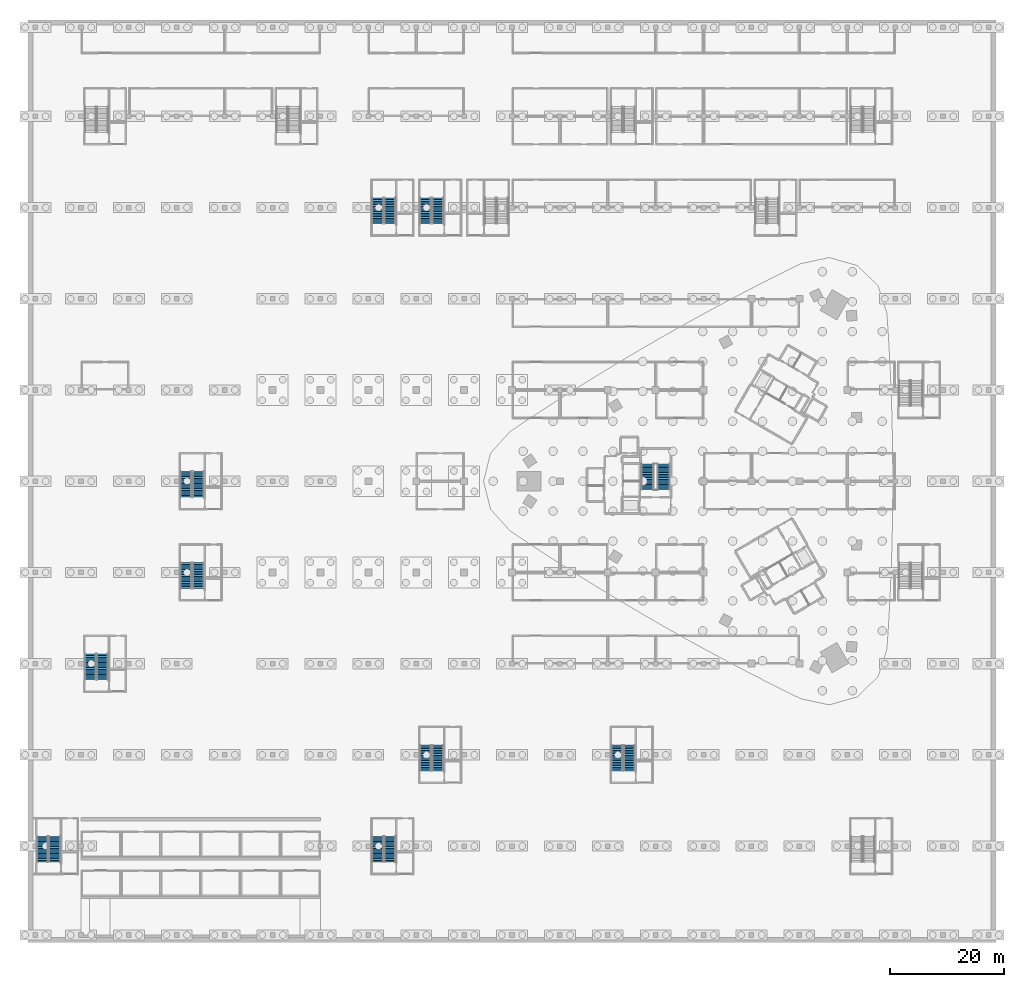
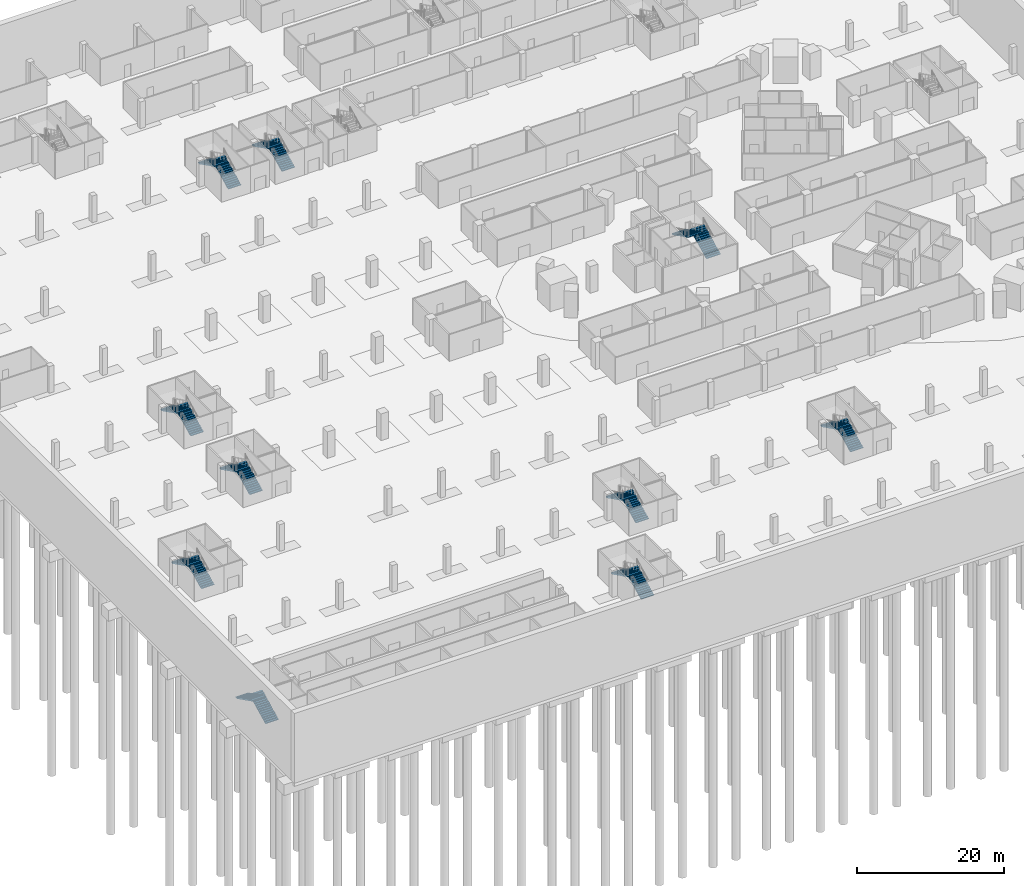
# One storey, part 26 of 46: 20 stair flights, 10 elements without a shape of their own.
"""IFC4 building model written with IfcOpenShell, lengths in metres."""

from ifc_helpers import new_model, si_unit, direction, frame, origin, place, context, subcontext, project, spatial, polyline, outline, extrude, material, layer, layer_set, type_object, element, aggregate, save


model = new_model("IFC4")

# Units and contexts
model_context = context("Model", 3, precision=1e-05, world=origin(), true_north=direction((0.0, 1.0)))
body_context = subcontext(model_context, "Body", "Model", "MODEL_VIEW")
ifc_project = project(units=[si_unit("LENGTHUNIT", "METRE"), si_unit("AREAUNIT", "SQUARE_METRE"), si_unit("VOLUMEUNIT", "CUBIC_METRE"), si_unit("PLANEANGLEUNIT", "RADIAN"), si_unit("MASSUNIT", "GRAM", prefix="KILO")], contexts=[model_context])

# Site, building, storey
site_placement = place(None, origin())
site = spatial("IfcSite", under=ifc_project, at=site_placement, CompositionType="ELEMENT")
building_placement = place(site_placement, origin())
building = spatial("IfcBuilding", under=site, at=building_placement, Name="Tamra Quay Hotel Tower", CompositionType="ELEMENT")
storey_placement = place(building_placement, frame((0.0, 0.0, -12.0)))
storey = spatial("IfcBuildingStorey", under=building, at=storey_placement, Name="B3", CompositionType="ELEMENT", Elevation=-12.0)

# Stair, stair flights
ifc_material_1 = material(Name="Basement exit stair")
stair_type_1 = type_object("IfcStairType", Name="Basement exit stair", PredefinedType="HALF_TURN_STAIR", material=ifc_material_1)
stair_1_placement = place(storey_placement, origin())
stair_1 = element("IfcStair", 1, at=stair_1_placement, inside=storey, type_object=stair_type_1, Name="B3 Basement Exit Stair BS1", PredefinedType="HALF_TURN_STAIR")
ifc_material_2 = material(Name="Concrete M60", Category="concrete")
ifc_layer = layer(ifc_material_2, 0.14990234375)
ifc_layer_set = layer_set([ifc_layer], Name="Concrete M60 basement stair flight 150")
stair_flight_type_1 = type_object("IfcStairFlightType", Name="Concrete M60 basement stair flight 150", PredefinedType="STRAIGHT", material=ifc_layer_set)
stair_flight_1_placement = place(storey_placement, frame((-110.5, -34.800048828125, 0.0), z_axis=(0.0, 0.0, 1.0), x_axis=(0.0, 1.0, 0.0)))
stair_flight_1 = element("IfcStairFlight", 2, at=stair_flight_1_placement, type_object=stair_flight_type_1, Name="BS1 flight 1", NumberOfRisers=16, NumberOfTreads=15, PredefinedType="STRAIGHT", RiserHeight=0.15, TreadLength=0.3, context=body_context, shape_type="SweptSolid", body=[
    extrude(outline(polyline([(0.0, 0.0), (0.0, 0.14990234375), (0.300048828125, 0.14990234375), (0.300048828125, 0.300048828125), (0.60009765625, 0.300048828125), (0.60009765625, 0.449951171875), (0.89990234375, 0.449951171875), (0.89990234375, 0.60009765625), (1.199951171875, 0.60009765625), (1.199951171875, 0.75), (1.5, 0.75), (1.5, 0.89990234375), (1.800048828125, 0.89990234375), (1.800048828125, 1.050048828125), (2.10009765625, 1.050048828125), (2.10009765625, 1.199951171875), (2.39990234375, 1.199951171875), (2.39990234375, 1.35009765625), (2.699951171875, 1.35009765625), (2.699951171875, 1.5), (3.0, 1.5), (3.0, 1.64990234375), (3.300048828125, 1.64990234375), (3.300048828125, 1.800048828125), (3.60009765625, 1.800048828125), (3.60009765625, 1.949951171875), (3.89990234375, 1.949951171875), (3.89990234375, 2.10009765625), (4.199951171875, 2.10009765625), (4.199951171875, 2.25), (4.5, 2.25), (4.5, 2.39990234375), (4.5, 2.08251953125), (0.335205078125, 0.0), (0.0, 0.0)])), frame((0.0, 1.0, 0.0), z_axis=(0.0, -1.0, 0.0), x_axis=(1.0, 0.0, 0.0)), (0.0, 0.0, 1.0), 2.0),
])
stair_flight_2_placement = place(storey_placement, frame((-112.64990234375, -30.300048828125, 2.39990234375), z_axis=(0.0, 0.0, 1.0), x_axis=(0.0, -1.0, 0.0)))
stair_flight_2 = element("IfcStairFlight", 3, at=stair_flight_2_placement, type_object=stair_flight_type_1, Name="BS1 flight 2", NumberOfRisers=16, NumberOfTreads=15, PredefinedType="STRAIGHT", RiserHeight=0.15, TreadLength=0.3, context=body_context, shape_type="SweptSolid", body=[
    extrude(outline(polyline([(0.0, 0.0), (0.0, 0.14990234375), (0.300048828125, 0.14990234375), (0.300048828125, 0.300048828125), (0.60009765625, 0.300048828125), (0.60009765625, 0.449951171875), (0.89990234375, 0.449951171875), (0.89990234375, 0.60009765625), (1.199951171875, 0.60009765625), (1.199951171875, 0.75), (1.5, 0.75), (1.5, 0.89990234375), (1.800048828125, 0.89990234375), (1.800048828125, 1.050048828125), (2.10009765625, 1.050048828125), (2.10009765625, 1.199951171875), (2.39990234375, 1.199951171875), (2.39990234375, 1.35009765625), (2.699951171875, 1.35009765625), (2.699951171875, 1.5), (3.0, 1.5), (3.0, 1.64990234375), (3.300048828125, 1.64990234375), (3.300048828125, 1.800048828125), (3.60009765625, 1.800048828125), (3.60009765625, 1.949951171875), (3.89990234375, 1.949951171875), (3.89990234375, 2.10009765625), (4.199951171875, 2.10009765625), (4.199951171875, 2.25), (4.5, 2.25), (4.5, 2.39990234375), (4.5, 2.08251953125), (0.335205078125, 0.0), (0.0, 0.0)])), frame((0.0, 1.0, 0.0), z_axis=(0.0, -1.0, 0.0), x_axis=(1.0, 0.0, 0.0)), (0.0, 0.0, 1.0), 2.0),
])
aggregate(stair_1, [stair_flight_1, stair_flight_2])

stair_2_placement = place(storey_placement, origin())
stair_2 = element("IfcStair", 4, at=stair_2_placement, inside=storey, type_object=stair_type_1, Name="B3 Basement Exit Stair BS3", PredefinedType="HALF_TURN_STAIR")
stair_flight_3_placement = place(storey_placement, frame((-93.699951171875, -18.800048828125, 0.0), z_axis=(0.0, 0.0, 1.0), x_axis=(0.0, 1.0, 0.0)))
stair_flight_3 = element("IfcStairFlight", 5, at=stair_flight_3_placement, type_object=stair_flight_type_1, Name="BS3 flight 1", NumberOfRisers=16, NumberOfTreads=15, PredefinedType="STRAIGHT", RiserHeight=0.15, TreadLength=0.3, context=body_context, shape_type="SweptSolid", body=[
    extrude(outline(polyline([(0.0, 0.0), (0.0, 0.14990234375), (0.300048828125, 0.14990234375), (0.300048828125, 0.300048828125), (0.60009765625, 0.300048828125), (0.60009765625, 0.449951171875), (0.89990234375, 0.449951171875), (0.89990234375, 0.60009765625), (1.199951171875, 0.60009765625), (1.199951171875, 0.75), (1.5, 0.75), (1.5, 0.89990234375), (1.800048828125, 0.89990234375), (1.800048828125, 1.050048828125), (2.10009765625, 1.050048828125), (2.10009765625, 1.199951171875), (2.39990234375, 1.199951171875), (2.39990234375, 1.35009765625), (2.699951171875, 1.35009765625), (2.699951171875, 1.5), (3.0, 1.5), (3.0, 1.64990234375), (3.300048828125, 1.64990234375), (3.300048828125, 1.800048828125), (3.60009765625, 1.800048828125), (3.60009765625, 1.949951171875), (3.89990234375, 1.949951171875), (3.89990234375, 2.10009765625), (4.199951171875, 2.10009765625), (4.199951171875, 2.25), (4.5, 2.25), (4.5, 2.39990234375), (4.5, 2.08251953125), (0.335205078125, 0.0), (0.0, 0.0)])), frame((0.0, 1.0, 0.0), z_axis=(0.0, -1.0, 0.0), x_axis=(1.0, 0.0, 0.0)), (0.0, 0.0, 1.0), 2.0),
])
stair_flight_4_placement = place(storey_placement, frame((-95.85009765625, -14.300048828125, 2.39990234375), z_axis=(0.0, 0.0, 1.0), x_axis=(0.0, -1.0, 0.0)))
stair_flight_4 = element("IfcStairFlight", 6, at=stair_flight_4_placement, type_object=stair_flight_type_1, Name="BS3 flight 2", NumberOfRisers=16, NumberOfTreads=15, PredefinedType="STRAIGHT", RiserHeight=0.15, TreadLength=0.3, context=body_context, shape_type="SweptSolid", body=[
    extrude(outline(polyline([(0.0, 0.0), (0.0, 0.14990234375), (0.300048828125, 0.14990234375), (0.300048828125, 0.300048828125), (0.60009765625, 0.300048828125), (0.60009765625, 0.449951171875), (0.89990234375, 0.449951171875), (0.89990234375, 0.60009765625), (1.199951171875, 0.60009765625), (1.199951171875, 0.75), (1.5, 0.75), (1.5, 0.89990234375), (1.800048828125, 0.89990234375), (1.800048828125, 1.050048828125), (2.10009765625, 1.050048828125), (2.10009765625, 1.199951171875), (2.39990234375, 1.199951171875), (2.39990234375, 1.35009765625), (2.699951171875, 1.35009765625), (2.699951171875, 1.5), (3.0, 1.5), (3.0, 1.64990234375), (3.300048828125, 1.64990234375), (3.300048828125, 1.800048828125), (3.60009765625, 1.800048828125), (3.60009765625, 1.949951171875), (3.89990234375, 1.949951171875), (3.89990234375, 2.10009765625), (4.199951171875, 2.10009765625), (4.199951171875, 2.25), (4.5, 2.25), (4.5, 2.39990234375), (4.5, 2.08251953125), (0.335205078125, 0.0), (0.0, 0.0)])), frame((0.0, 1.0, 0.0), z_axis=(0.0, -1.0, 0.0), x_axis=(1.0, 0.0, 0.0)), (0.0, 0.0, 1.0), 2.0),
])
aggregate(stair_2, [stair_flight_3, stair_flight_4])

stair_3_placement = place(storey_placement, origin())
stair_3 = element("IfcStair", 7, at=stair_3_placement, inside=storey, type_object=stair_type_1, Name="B3 Basement Exit Stair BS4", PredefinedType="HALF_TURN_STAIR")
stair_flight_5_placement = place(storey_placement, frame((-93.699951171875, -2.800048828125, 0.0), z_axis=(0.0, 0.0, 1.0), x_axis=(0.0, 1.0, 0.0)))
stair_flight_5 = element("IfcStairFlight", 8, at=stair_flight_5_placement, type_object=stair_flight_type_1, Name="BS4 flight 1", NumberOfRisers=16, NumberOfTreads=15, PredefinedType="STRAIGHT", RiserHeight=0.15, TreadLength=0.3, context=body_context, shape_type="SweptSolid", body=[
    extrude(outline(polyline([(0.0, 0.0), (0.0, 0.14990234375), (0.300048828125, 0.14990234375), (0.300048828125, 0.300048828125), (0.60009765625, 0.300048828125), (0.60009765625, 0.449951171875), (0.89990234375, 0.449951171875), (0.89990234375, 0.60009765625), (1.199951171875, 0.60009765625), (1.199951171875, 0.75), (1.5, 0.75), (1.5, 0.89990234375), (1.800048828125, 0.89990234375), (1.800048828125, 1.050048828125), (2.10009765625, 1.050048828125), (2.10009765625, 1.199951171875), (2.39990234375, 1.199951171875), (2.39990234375, 1.35009765625), (2.699951171875, 1.35009765625), (2.699951171875, 1.5), (3.0, 1.5), (3.0, 1.64990234375), (3.300048828125, 1.64990234375), (3.300048828125, 1.800048828125), (3.60009765625, 1.800048828125), (3.60009765625, 1.949951171875), (3.89990234375, 1.949951171875), (3.89990234375, 2.10009765625), (4.199951171875, 2.10009765625), (4.199951171875, 2.25), (4.5, 2.25), (4.5, 2.39990234375), (4.5, 2.08251953125), (0.335205078125, 0.0), (0.0, 0.0)])), frame((0.0, 1.0, 0.0), z_axis=(0.0, -1.0, 0.0), x_axis=(1.0, 0.0, 0.0)), (0.0, 0.0, 1.0), 2.0),
])
stair_flight_6_placement = place(storey_placement, frame((-95.85009765625, 1.699951171875, 2.39990234375), z_axis=(0.0, 0.0, 1.0), x_axis=(0.0, -1.0, 0.0)))
stair_flight_6 = element("IfcStairFlight", 9, at=stair_flight_6_placement, type_object=stair_flight_type_1, Name="BS4 flight 2", NumberOfRisers=16, NumberOfTreads=15, PredefinedType="STRAIGHT", RiserHeight=0.15, TreadLength=0.3, context=body_context, shape_type="SweptSolid", body=[
    extrude(outline(polyline([(0.0, 0.0), (0.0, 0.14990234375), (0.300048828125, 0.14990234375), (0.300048828125, 0.300048828125), (0.60009765625, 0.300048828125), (0.60009765625, 0.449951171875), (0.89990234375, 0.449951171875), (0.89990234375, 0.60009765625), (1.199951171875, 0.60009765625), (1.199951171875, 0.75), (1.5, 0.75), (1.5, 0.89990234375), (1.800048828125, 0.89990234375), (1.800048828125, 1.050048828125), (2.10009765625, 1.050048828125), (2.10009765625, 1.199951171875), (2.39990234375, 1.199951171875), (2.39990234375, 1.35009765625), (2.699951171875, 1.35009765625), (2.699951171875, 1.5), (3.0, 1.5), (3.0, 1.64990234375), (3.300048828125, 1.64990234375), (3.300048828125, 1.800048828125), (3.60009765625, 1.800048828125), (3.60009765625, 1.949951171875), (3.89990234375, 1.949951171875), (3.89990234375, 2.10009765625), (4.199951171875, 2.10009765625), (4.199951171875, 2.25), (4.5, 2.25), (4.5, 2.39990234375), (4.5, 2.08251953125), (0.335205078125, 0.0), (0.0, 0.0)])), frame((0.0, 1.0, 0.0), z_axis=(0.0, -1.0, 0.0), x_axis=(1.0, 0.0, 0.0)), (0.0, 0.0, 1.0), 2.0),
])
aggregate(stair_3, [stair_flight_5, stair_flight_6])

stair_4_placement = place(storey_placement, origin())
stair_4 = element("IfcStair", 10, at=stair_4_placement, inside=storey, type_object=stair_type_1, Name="B3 Basement Exit Stair BS6", PredefinedType="HALF_TURN_STAIR")
stair_flight_7_placement = place(storey_placement, frame((-60.10009765625, -66.800048828125, 0.0), z_axis=(0.0, 0.0, 1.0), x_axis=(0.0, 1.0, 0.0)))
stair_flight_7 = element("IfcStairFlight", 11, at=stair_flight_7_placement, type_object=stair_flight_type_1, Name="BS6 flight 1", NumberOfRisers=16, NumberOfTreads=15, PredefinedType="STRAIGHT", RiserHeight=0.15, TreadLength=0.3, context=body_context, shape_type="SweptSolid", body=[
    extrude(outline(polyline([(0.0, 0.0), (0.0, 0.14990234375), (0.300048828125, 0.14990234375), (0.300048828125, 0.300048828125), (0.60009765625, 0.300048828125), (0.60009765625, 0.449951171875), (0.89990234375, 0.449951171875), (0.89990234375, 0.60009765625), (1.199951171875, 0.60009765625), (1.199951171875, 0.75), (1.5, 0.75), (1.5, 0.89990234375), (1.800048828125, 0.89990234375), (1.800048828125, 1.050048828125), (2.10009765625, 1.050048828125), (2.10009765625, 1.199951171875), (2.39990234375, 1.199951171875), (2.39990234375, 1.35009765625), (2.699951171875, 1.35009765625), (2.699951171875, 1.5), (3.0, 1.5), (3.0, 1.64990234375), (3.300048828125, 1.64990234375), (3.300048828125, 1.800048828125), (3.60009765625, 1.800048828125), (3.60009765625, 1.949951171875), (3.89990234375, 1.949951171875), (3.89990234375, 2.10009765625), (4.199951171875, 2.10009765625), (4.199951171875, 2.25), (4.5, 2.25), (4.5, 2.39990234375), (4.5, 2.08251953125), (0.335205078125, 0.0), (0.0, 0.0)])), frame((0.0, 1.0, 0.0), z_axis=(0.0, -1.0, 0.0), x_axis=(1.0, 0.0, 0.0)), (0.0, 0.0, 1.0), 2.0),
])
stair_flight_8_placement = place(storey_placement, frame((-62.25, -62.300048828125, 2.39990234375), z_axis=(0.0, 0.0, 1.0), x_axis=(0.0, -1.0, 0.0)))
stair_flight_8 = element("IfcStairFlight", 12, at=stair_flight_8_placement, type_object=stair_flight_type_1, Name="BS6 flight 2", NumberOfRisers=16, NumberOfTreads=15, PredefinedType="STRAIGHT", RiserHeight=0.15, TreadLength=0.3, context=body_context, shape_type="SweptSolid", body=[
    extrude(outline(polyline([(0.0, 0.0), (0.0, 0.14990234375), (0.300048828125, 0.14990234375), (0.300048828125, 0.300048828125), (0.60009765625, 0.300048828125), (0.60009765625, 0.449951171875), (0.89990234375, 0.449951171875), (0.89990234375, 0.60009765625), (1.199951171875, 0.60009765625), (1.199951171875, 0.75), (1.5, 0.75), (1.5, 0.89990234375), (1.800048828125, 0.89990234375), (1.800048828125, 1.050048828125), (2.10009765625, 1.050048828125), (2.10009765625, 1.199951171875), (2.39990234375, 1.199951171875), (2.39990234375, 1.35009765625), (2.699951171875, 1.35009765625), (2.699951171875, 1.5), (3.0, 1.5), (3.0, 1.64990234375), (3.300048828125, 1.64990234375), (3.300048828125, 1.800048828125), (3.60009765625, 1.800048828125), (3.60009765625, 1.949951171875), (3.89990234375, 1.949951171875), (3.89990234375, 2.10009765625), (4.199951171875, 2.10009765625), (4.199951171875, 2.25), (4.5, 2.25), (4.5, 2.39990234375), (4.5, 2.08251953125), (0.335205078125, 0.0), (0.0, 0.0)])), frame((0.0, 1.0, 0.0), z_axis=(0.0, -1.0, 0.0), x_axis=(1.0, 0.0, 0.0)), (0.0, 0.0, 1.0), 2.0),
])
aggregate(stair_4, [stair_flight_7, stair_flight_8])

stair_5_placement = place(storey_placement, origin())
stair_5 = element("IfcStair", 13, at=stair_5_placement, inside=storey, type_object=stair_type_1, Name="B3 Basement Exit Stair BS7", PredefinedType="HALF_TURN_STAIR")
stair_flight_9_placement = place(storey_placement, frame((-60.10009765625, 45.199951171875, 0.0), z_axis=(0.0, 0.0, 1.0), x_axis=(0.0, 1.0, 0.0)))
stair_flight_9 = element("IfcStairFlight", 14, at=stair_flight_9_placement, type_object=stair_flight_type_1, Name="BS7 flight 1", NumberOfRisers=16, NumberOfTreads=15, PredefinedType="STRAIGHT", RiserHeight=0.15, TreadLength=0.3, context=body_context, shape_type="SweptSolid", body=[
    extrude(outline(polyline([(0.0, 0.0), (0.0, 0.14990234375), (0.300048828125, 0.14990234375), (0.300048828125, 0.300048828125), (0.60009765625, 0.300048828125), (0.60009765625, 0.449951171875), (0.89990234375, 0.449951171875), (0.89990234375, 0.60009765625), (1.199951171875, 0.60009765625), (1.199951171875, 0.75), (1.5, 0.75), (1.5, 0.89990234375), (1.800048828125, 0.89990234375), (1.800048828125, 1.050048828125), (2.10009765625, 1.050048828125), (2.10009765625, 1.199951171875), (2.39990234375, 1.199951171875), (2.39990234375, 1.35009765625), (2.699951171875, 1.35009765625), (2.699951171875, 1.5), (3.0, 1.5), (3.0, 1.64990234375), (3.300048828125, 1.64990234375), (3.300048828125, 1.800048828125), (3.60009765625, 1.800048828125), (3.60009765625, 1.949951171875), (3.89990234375, 1.949951171875), (3.89990234375, 2.10009765625), (4.199951171875, 2.10009765625), (4.199951171875, 2.25), (4.5, 2.25), (4.5, 2.39990234375), (4.5, 2.08251953125), (0.335205078125, 0.0), (0.0, 0.0)])), frame((0.0, 1.0, 0.0), z_axis=(0.0, -1.0, 0.0), x_axis=(1.0, 0.0, 0.0)), (0.0, 0.0, 1.0), 2.0),
])
stair_flight_10_placement = place(storey_placement, frame((-62.25, 49.699951171875, 2.39990234375), z_axis=(0.0, 0.0, 1.0), x_axis=(0.0, -1.0, 0.0)))
stair_flight_10 = element("IfcStairFlight", 15, at=stair_flight_10_placement, type_object=stair_flight_type_1, Name="BS7 flight 2", NumberOfRisers=16, NumberOfTreads=15, PredefinedType="STRAIGHT", RiserHeight=0.15, TreadLength=0.3, context=body_context, shape_type="SweptSolid", body=[
    extrude(outline(polyline([(0.0, 0.0), (0.0, 0.14990234375), (0.300048828125, 0.14990234375), (0.300048828125, 0.300048828125), (0.60009765625, 0.300048828125), (0.60009765625, 0.449951171875), (0.89990234375, 0.449951171875), (0.89990234375, 0.60009765625), (1.199951171875, 0.60009765625), (1.199951171875, 0.75), (1.5, 0.75), (1.5, 0.89990234375), (1.800048828125, 0.89990234375), (1.800048828125, 1.050048828125), (2.10009765625, 1.050048828125), (2.10009765625, 1.199951171875), (2.39990234375, 1.199951171875), (2.39990234375, 1.35009765625), (2.699951171875, 1.35009765625), (2.699951171875, 1.5), (3.0, 1.5), (3.0, 1.64990234375), (3.300048828125, 1.64990234375), (3.300048828125, 1.800048828125), (3.60009765625, 1.800048828125), (3.60009765625, 1.949951171875), (3.89990234375, 1.949951171875), (3.89990234375, 2.10009765625), (4.199951171875, 2.10009765625), (4.199951171875, 2.25), (4.5, 2.25), (4.5, 2.39990234375), (4.5, 2.08251953125), (0.335205078125, 0.0), (0.0, 0.0)])), frame((0.0, 1.0, 0.0), z_axis=(0.0, -1.0, 0.0), x_axis=(1.0, 0.0, 0.0)), (0.0, 0.0, 1.0), 2.0),
])
aggregate(stair_5, [stair_flight_9, stair_flight_10])

stair_6_placement = place(storey_placement, origin())
stair_6 = element("IfcStair", 16, at=stair_6_placement, inside=storey, type_object=stair_type_1, Name="B3 Basement Exit Stair BS8", PredefinedType="HALF_TURN_STAIR")
stair_flight_11_placement = place(storey_placement, frame((-51.699951171875, -50.800048828125, 0.0), z_axis=(0.0, 0.0, 1.0), x_axis=(0.0, 1.0, 0.0)))
stair_flight_11 = element("IfcStairFlight", 17, at=stair_flight_11_placement, type_object=stair_flight_type_1, Name="BS8 flight 1", NumberOfRisers=16, NumberOfTreads=15, PredefinedType="STRAIGHT", RiserHeight=0.15, TreadLength=0.3, context=body_context, shape_type="SweptSolid", body=[
    extrude(outline(polyline([(0.0, 0.0), (0.0, 0.14990234375), (0.300048828125, 0.14990234375), (0.300048828125, 0.300048828125), (0.60009765625, 0.300048828125), (0.60009765625, 0.449951171875), (0.89990234375, 0.449951171875), (0.89990234375, 0.60009765625), (1.199951171875, 0.60009765625), (1.199951171875, 0.75), (1.5, 0.75), (1.5, 0.89990234375), (1.800048828125, 0.89990234375), (1.800048828125, 1.050048828125), (2.10009765625, 1.050048828125), (2.10009765625, 1.199951171875), (2.39990234375, 1.199951171875), (2.39990234375, 1.35009765625), (2.699951171875, 1.35009765625), (2.699951171875, 1.5), (3.0, 1.5), (3.0, 1.64990234375), (3.300048828125, 1.64990234375), (3.300048828125, 1.800048828125), (3.60009765625, 1.800048828125), (3.60009765625, 1.949951171875), (3.89990234375, 1.949951171875), (3.89990234375, 2.10009765625), (4.199951171875, 2.10009765625), (4.199951171875, 2.25), (4.5, 2.25), (4.5, 2.39990234375), (4.5, 2.08251953125), (0.335205078125, 0.0), (0.0, 0.0)])), frame((0.0, 1.0, 0.0), z_axis=(0.0, -1.0, 0.0), x_axis=(1.0, 0.0, 0.0)), (0.0, 0.0, 1.0), 2.0),
])
stair_flight_12_placement = place(storey_placement, frame((-53.85009765625, -46.300048828125, 2.39990234375), z_axis=(0.0, 0.0, 1.0), x_axis=(0.0, -1.0, 0.0)))
stair_flight_12 = element("IfcStairFlight", 18, at=stair_flight_12_placement, type_object=stair_flight_type_1, Name="BS8 flight 2", NumberOfRisers=16, NumberOfTreads=15, PredefinedType="STRAIGHT", RiserHeight=0.15, TreadLength=0.3, context=body_context, shape_type="SweptSolid", body=[
    extrude(outline(polyline([(0.0, 0.0), (0.0, 0.14990234375), (0.300048828125, 0.14990234375), (0.300048828125, 0.300048828125), (0.60009765625, 0.300048828125), (0.60009765625, 0.449951171875), (0.89990234375, 0.449951171875), (0.89990234375, 0.60009765625), (1.199951171875, 0.60009765625), (1.199951171875, 0.75), (1.5, 0.75), (1.5, 0.89990234375), (1.800048828125, 0.89990234375), (1.800048828125, 1.050048828125), (2.10009765625, 1.050048828125), (2.10009765625, 1.199951171875), (2.39990234375, 1.199951171875), (2.39990234375, 1.35009765625), (2.699951171875, 1.35009765625), (2.699951171875, 1.5), (3.0, 1.5), (3.0, 1.64990234375), (3.300048828125, 1.64990234375), (3.300048828125, 1.800048828125), (3.60009765625, 1.800048828125), (3.60009765625, 1.949951171875), (3.89990234375, 1.949951171875), (3.89990234375, 2.10009765625), (4.199951171875, 2.10009765625), (4.199951171875, 2.25), (4.5, 2.25), (4.5, 2.39990234375), (4.5, 2.08251953125), (0.335205078125, 0.0), (0.0, 0.0)])), frame((0.0, 1.0, 0.0), z_axis=(0.0, -1.0, 0.0), x_axis=(1.0, 0.0, 0.0)), (0.0, 0.0, 1.0), 2.0),
])
aggregate(stair_6, [stair_flight_11, stair_flight_12])

stair_7_placement = place(storey_placement, origin())
stair_7 = element("IfcStair", 19, at=stair_7_placement, inside=storey, type_object=stair_type_1, Name="B3 Basement Exit Stair BS9", PredefinedType="HALF_TURN_STAIR")
stair_flight_13_placement = place(storey_placement, frame((-51.699951171875, 45.199951171875, 0.0), z_axis=(0.0, 0.0, 1.0), x_axis=(0.0, 1.0, 0.0)))
stair_flight_13 = element("IfcStairFlight", 20, at=stair_flight_13_placement, type_object=stair_flight_type_1, Name="BS9 flight 1", NumberOfRisers=16, NumberOfTreads=15, PredefinedType="STRAIGHT", RiserHeight=0.15, TreadLength=0.3, context=body_context, shape_type="SweptSolid", body=[
    extrude(outline(polyline([(0.0, 0.0), (0.0, 0.14990234375), (0.300048828125, 0.14990234375), (0.300048828125, 0.300048828125), (0.60009765625, 0.300048828125), (0.60009765625, 0.449951171875), (0.89990234375, 0.449951171875), (0.89990234375, 0.60009765625), (1.199951171875, 0.60009765625), (1.199951171875, 0.75), (1.5, 0.75), (1.5, 0.89990234375), (1.800048828125, 0.89990234375), (1.800048828125, 1.050048828125), (2.10009765625, 1.050048828125), (2.10009765625, 1.199951171875), (2.39990234375, 1.199951171875), (2.39990234375, 1.35009765625), (2.699951171875, 1.35009765625), (2.699951171875, 1.5), (3.0, 1.5), (3.0, 1.64990234375), (3.300048828125, 1.64990234375), (3.300048828125, 1.800048828125), (3.60009765625, 1.800048828125), (3.60009765625, 1.949951171875), (3.89990234375, 1.949951171875), (3.89990234375, 2.10009765625), (4.199951171875, 2.10009765625), (4.199951171875, 2.25), (4.5, 2.25), (4.5, 2.39990234375), (4.5, 2.08251953125), (0.335205078125, 0.0), (0.0, 0.0)])), frame((0.0, 1.0, 0.0), z_axis=(0.0, -1.0, 0.0), x_axis=(1.0, 0.0, 0.0)), (0.0, 0.0, 1.0), 2.0),
])
stair_flight_14_placement = place(storey_placement, frame((-53.85009765625, 49.699951171875, 2.39990234375), z_axis=(0.0, 0.0, 1.0), x_axis=(0.0, -1.0, 0.0)))
stair_flight_14 = element("IfcStairFlight", 21, at=stair_flight_14_placement, type_object=stair_flight_type_1, Name="BS9 flight 2", NumberOfRisers=16, NumberOfTreads=15, PredefinedType="STRAIGHT", RiserHeight=0.15, TreadLength=0.3, context=body_context, shape_type="SweptSolid", body=[
    extrude(outline(polyline([(0.0, 0.0), (0.0, 0.14990234375), (0.300048828125, 0.14990234375), (0.300048828125, 0.300048828125), (0.60009765625, 0.300048828125), (0.60009765625, 0.449951171875), (0.89990234375, 0.449951171875), (0.89990234375, 0.60009765625), (1.199951171875, 0.60009765625), (1.199951171875, 0.75), (1.5, 0.75), (1.5, 0.89990234375), (1.800048828125, 0.89990234375), (1.800048828125, 1.050048828125), (2.10009765625, 1.050048828125), (2.10009765625, 1.199951171875), (2.39990234375, 1.199951171875), (2.39990234375, 1.35009765625), (2.699951171875, 1.35009765625), (2.699951171875, 1.5), (3.0, 1.5), (3.0, 1.64990234375), (3.300048828125, 1.64990234375), (3.300048828125, 1.800048828125), (3.60009765625, 1.800048828125), (3.60009765625, 1.949951171875), (3.89990234375, 1.949951171875), (3.89990234375, 2.10009765625), (4.199951171875, 2.10009765625), (4.199951171875, 2.25), (4.5, 2.25), (4.5, 2.39990234375), (4.5, 2.08251953125), (0.335205078125, 0.0), (0.0, 0.0)])), frame((0.0, 1.0, 0.0), z_axis=(0.0, -1.0, 0.0), x_axis=(1.0, 0.0, 0.0)), (0.0, 0.0, 1.0), 2.0),
])
aggregate(stair_7, [stair_flight_13, stair_flight_14])

stair_8_placement = place(storey_placement, origin())
stair_8 = element("IfcStair", 22, at=stair_8_placement, inside=storey, type_object=stair_type_1, Name="B3 Basement Exit Stair BS10", PredefinedType="HALF_TURN_STAIR")
stair_flight_15_placement = place(storey_placement, frame((-18.10009765625, -50.800048828125, 0.0), z_axis=(0.0, 0.0, 1.0), x_axis=(0.0, 1.0, 0.0)))
stair_flight_15 = element("IfcStairFlight", 23, at=stair_flight_15_placement, type_object=stair_flight_type_1, Name="BS10 flight 1", NumberOfRisers=16, NumberOfTreads=15, PredefinedType="STRAIGHT", RiserHeight=0.15, TreadLength=0.3, context=body_context, shape_type="SweptSolid", body=[
    extrude(outline(polyline([(0.0, 0.0), (0.0, 0.14990234375), (0.300048828125, 0.14990234375), (0.300048828125, 0.300048828125), (0.60009765625, 0.300048828125), (0.60009765625, 0.449951171875), (0.89990234375, 0.449951171875), (0.89990234375, 0.60009765625), (1.199951171875, 0.60009765625), (1.199951171875, 0.75), (1.5, 0.75), (1.5, 0.89990234375), (1.800048828125, 0.89990234375), (1.800048828125, 1.050048828125), (2.10009765625, 1.050048828125), (2.10009765625, 1.199951171875), (2.39990234375, 1.199951171875), (2.39990234375, 1.35009765625), (2.699951171875, 1.35009765625), (2.699951171875, 1.5), (3.0, 1.5), (3.0, 1.64990234375), (3.300048828125, 1.64990234375), (3.300048828125, 1.800048828125), (3.60009765625, 1.800048828125), (3.60009765625, 1.949951171875), (3.89990234375, 1.949951171875), (3.89990234375, 2.10009765625), (4.199951171875, 2.10009765625), (4.199951171875, 2.25), (4.5, 2.25), (4.5, 2.39990234375), (4.5, 2.08251953125), (0.335205078125, 0.0), (0.0, 0.0)])), frame((0.0, 1.0, 0.0), z_axis=(0.0, -1.0, 0.0), x_axis=(1.0, 0.0, 0.0)), (0.0, 0.0, 1.0), 2.0),
])
stair_flight_16_placement = place(storey_placement, frame((-20.25, -46.300048828125, 2.39990234375), z_axis=(0.0, 0.0, 1.0), x_axis=(0.0, -1.0, 0.0)))
stair_flight_16 = element("IfcStairFlight", 24, at=stair_flight_16_placement, type_object=stair_flight_type_1, Name="BS10 flight 2", NumberOfRisers=16, NumberOfTreads=15, PredefinedType="STRAIGHT", RiserHeight=0.15, TreadLength=0.3, context=body_context, shape_type="SweptSolid", body=[
    extrude(outline(polyline([(0.0, 0.0), (0.0, 0.14990234375), (0.300048828125, 0.14990234375), (0.300048828125, 0.300048828125), (0.60009765625, 0.300048828125), (0.60009765625, 0.449951171875), (0.89990234375, 0.449951171875), (0.89990234375, 0.60009765625), (1.199951171875, 0.60009765625), (1.199951171875, 0.75), (1.5, 0.75), (1.5, 0.89990234375), (1.800048828125, 0.89990234375), (1.800048828125, 1.050048828125), (2.10009765625, 1.050048828125), (2.10009765625, 1.199951171875), (2.39990234375, 1.199951171875), (2.39990234375, 1.35009765625), (2.699951171875, 1.35009765625), (2.699951171875, 1.5), (3.0, 1.5), (3.0, 1.64990234375), (3.300048828125, 1.64990234375), (3.300048828125, 1.800048828125), (3.60009765625, 1.800048828125), (3.60009765625, 1.949951171875), (3.89990234375, 1.949951171875), (3.89990234375, 2.10009765625), (4.199951171875, 2.10009765625), (4.199951171875, 2.25), (4.5, 2.25), (4.5, 2.39990234375), (4.5, 2.08251953125), (0.335205078125, 0.0), (0.0, 0.0)])), frame((0.0, 1.0, 0.0), z_axis=(0.0, -1.0, 0.0), x_axis=(1.0, 0.0, 0.0)), (0.0, 0.0, 1.0), 2.0),
])
aggregate(stair_8, [stair_flight_15, stair_flight_16])

stair_9_placement = place(storey_placement, origin())
stair_9 = element("IfcStair", 25, at=stair_9_placement, inside=storey, type_object=stair_type_1, Name="B3 Basement Exit Stair BS18", PredefinedType="HALF_TURN_STAIR")
stair_flight_17_placement = place(storey_placement, frame((-118.89990234375, -66.800048828125, 0.0), z_axis=(0.0, 0.0, 1.0), x_axis=(0.0, 1.0, 0.0)))
stair_flight_17 = element("IfcStairFlight", 26, at=stair_flight_17_placement, type_object=stair_flight_type_1, Name="BS18 flight 1", NumberOfRisers=16, NumberOfTreads=15, PredefinedType="STRAIGHT", RiserHeight=0.15, TreadLength=0.3, context=body_context, shape_type="SweptSolid", body=[
    extrude(outline(polyline([(0.0, 0.0), (0.0, 0.14990234375), (0.300048828125, 0.14990234375), (0.300048828125, 0.300048828125), (0.60009765625, 0.300048828125), (0.60009765625, 0.449951171875), (0.89990234375, 0.449951171875), (0.89990234375, 0.60009765625), (1.199951171875, 0.60009765625), (1.199951171875, 0.75), (1.5, 0.75), (1.5, 0.89990234375), (1.800048828125, 0.89990234375), (1.800048828125, 1.050048828125), (2.10009765625, 1.050048828125), (2.10009765625, 1.199951171875), (2.39990234375, 1.199951171875), (2.39990234375, 1.35009765625), (2.699951171875, 1.35009765625), (2.699951171875, 1.5), (3.0, 1.5), (3.0, 1.64990234375), (3.300048828125, 1.64990234375), (3.300048828125, 1.800048828125), (3.60009765625, 1.800048828125), (3.60009765625, 1.949951171875), (3.89990234375, 1.949951171875), (3.89990234375, 2.10009765625), (4.199951171875, 2.10009765625), (4.199951171875, 2.25), (4.5, 2.25), (4.5, 2.39990234375), (4.5, 2.08251953125), (0.335205078125, 0.0), (0.0, 0.0)])), frame((0.0, 1.0, 0.0), z_axis=(0.0, -1.0, 0.0), x_axis=(1.0, 0.0, 0.0)), (0.0, 0.0, 1.0), 2.0),
])
stair_flight_18_placement = place(storey_placement, frame((-121.050048828125, -62.300048828125, 2.39990234375), z_axis=(0.0, 0.0, 1.0), x_axis=(0.0, -1.0, 0.0)))
stair_flight_18 = element("IfcStairFlight", 27, at=stair_flight_18_placement, type_object=stair_flight_type_1, Name="BS18 flight 2", NumberOfRisers=16, NumberOfTreads=15, PredefinedType="STRAIGHT", RiserHeight=0.15, TreadLength=0.3, context=body_context, shape_type="SweptSolid", body=[
    extrude(outline(polyline([(0.0, 0.0), (0.0, 0.14990234375), (0.300048828125, 0.14990234375), (0.300048828125, 0.300048828125), (0.60009765625, 0.300048828125), (0.60009765625, 0.449951171875), (0.89990234375, 0.449951171875), (0.89990234375, 0.60009765625), (1.199951171875, 0.60009765625), (1.199951171875, 0.75), (1.5, 0.75), (1.5, 0.89990234375), (1.800048828125, 0.89990234375), (1.800048828125, 1.050048828125), (2.10009765625, 1.050048828125), (2.10009765625, 1.199951171875), (2.39990234375, 1.199951171875), (2.39990234375, 1.35009765625), (2.699951171875, 1.35009765625), (2.699951171875, 1.5), (3.0, 1.5), (3.0, 1.64990234375), (3.300048828125, 1.64990234375), (3.300048828125, 1.800048828125), (3.60009765625, 1.800048828125), (3.60009765625, 1.949951171875), (3.89990234375, 1.949951171875), (3.89990234375, 2.10009765625), (4.199951171875, 2.10009765625), (4.199951171875, 2.25), (4.5, 2.25), (4.5, 2.39990234375), (4.5, 2.08251953125), (0.335205078125, 0.0), (0.0, 0.0)])), frame((0.0, 1.0, 0.0), z_axis=(0.0, -1.0, 0.0), x_axis=(1.0, 0.0, 0.0)), (0.0, 0.0, 1.0), 2.0),
])
aggregate(stair_9, [stair_flight_17, stair_flight_18])

ifc_material_3 = material(Name="Exit stair 2200 32 risers 150.0 going 299")
stair_type_2 = type_object("IfcStairType", Name="Exit stair 2200 32 risers 150.0 going 299", PredefinedType="HALF_TURN_STAIR", material=ifc_material_3)
stair_10_placement = place(storey_placement, origin())
stair_10 = element("IfcStair", 28, at=stair_10_placement, inside=storey, type_object=stair_type_2, Name="B3 Exit stair ST3", PredefinedType="HALF_TURN_STAIR")
ifc_material_4 = material(Name="Exit stair flight 2200 16 risers 150.0")
stair_flight_type_2 = type_object("IfcStairFlightType", Name="Exit stair flight 2200 16 risers 150.0", PredefinedType="STRAIGHT", material=ifc_material_4)
stair_flight_19_placement = place(storey_placement, frame((-12.082275390625, -1.47998046875, 0.0), z_axis=(0.0, 0.0, 1.0), x_axis=(0.0, 1.0, 0.0)))
stair_flight_19 = element("IfcStairFlight", 29, at=stair_flight_19_placement, type_object=stair_flight_type_2, Name="ST3 flight 1", NumberOfRisers=16, NumberOfTreads=15, PredefinedType="STRAIGHT", RiserHeight=0.15, TreadLength=0.299, context=body_context, shape_type="SweptSolid", body=[
    extrude(outline(polyline([(0.0, 0.0), (0.0, 0.14990234375), (0.299072265625, 0.14990234375), (0.299072265625, 0.300048828125), (0.597900390625, 0.300048828125), (0.597900390625, 0.449951171875), (0.89697265625, 0.449951171875), (0.89697265625, 0.60009765625), (1.196044921875, 0.60009765625), (1.196044921875, 0.75), (1.4951171875, 0.75), (1.4951171875, 0.89990234375), (1.7939453125, 0.89990234375), (1.7939453125, 1.050048828125), (2.093017578125, 1.050048828125), (2.093017578125, 1.199951171875), (2.39208984375, 1.199951171875), (2.39208984375, 1.35009765625), (2.69091796875, 1.35009765625), (2.69091796875, 1.5), (2.989990234375, 1.5), (2.989990234375, 1.64990234375), (3.2890625, 1.64990234375), (3.2890625, 1.800048828125), (3.587890625, 1.800048828125), (3.587890625, 1.949951171875), (3.886962890625, 1.949951171875), (3.886962890625, 2.10009765625), (4.18603515625, 2.10009765625), (4.18603515625, 2.25), (4.485107421875, 2.25), (4.485107421875, 2.39990234375), (4.485107421875, 2.137939453125), (0.22314453125, 0.0), (0.0, 0.0)])), frame((0.0, 1.10009765625, 0.0), z_axis=(0.0, -1.0, 0.0), x_axis=(1.0, 0.0, 0.0)), (0.0, 0.0, 1.0), 2.199951171875),
])
stair_flight_20_placement = place(storey_placement, frame((-14.94140625, 3.0048828125, 2.39990234375), z_axis=(0.0, 0.0, 1.0), x_axis=(0.0, -1.0, 0.0)))
stair_flight_20 = element("IfcStairFlight", 30, at=stair_flight_20_placement, type_object=stair_flight_type_2, Name="ST3 flight 2", NumberOfRisers=16, NumberOfTreads=15, PredefinedType="STRAIGHT", RiserHeight=0.15, TreadLength=0.299, context=body_context, shape_type="SweptSolid", body=[
    extrude(outline(polyline([(0.0, 0.0), (0.0, 0.14990234375), (0.299072265625, 0.14990234375), (0.299072265625, 0.300048828125), (0.597900390625, 0.300048828125), (0.597900390625, 0.449951171875), (0.89697265625, 0.449951171875), (0.89697265625, 0.60009765625), (1.196044921875, 0.60009765625), (1.196044921875, 0.75), (1.4951171875, 0.75), (1.4951171875, 0.89990234375), (1.7939453125, 0.89990234375), (1.7939453125, 1.050048828125), (2.093017578125, 1.050048828125), (2.093017578125, 1.199951171875), (2.39208984375, 1.199951171875), (2.39208984375, 1.35009765625), (2.69091796875, 1.35009765625), (2.69091796875, 1.5), (2.989990234375, 1.5), (2.989990234375, 1.64990234375), (3.2890625, 1.64990234375), (3.2890625, 1.800048828125), (3.587890625, 1.800048828125), (3.587890625, 1.949951171875), (3.886962890625, 1.949951171875), (3.886962890625, 2.10009765625), (4.18603515625, 2.10009765625), (4.18603515625, 2.25), (4.485107421875, 2.25), (4.485107421875, 2.39990234375), (4.485107421875, 2.137939453125), (0.22314453125, 0.0), (0.0, 0.0)])), frame((0.0, 1.10009765625, 0.0), z_axis=(0.0, -1.0, 0.0), x_axis=(1.0, 0.0, 0.0)), (0.0, 0.0, 1.0), 2.199951171875),
])
aggregate(stair_10, [stair_flight_19, stair_flight_20])

save(model, "model.ifc")
